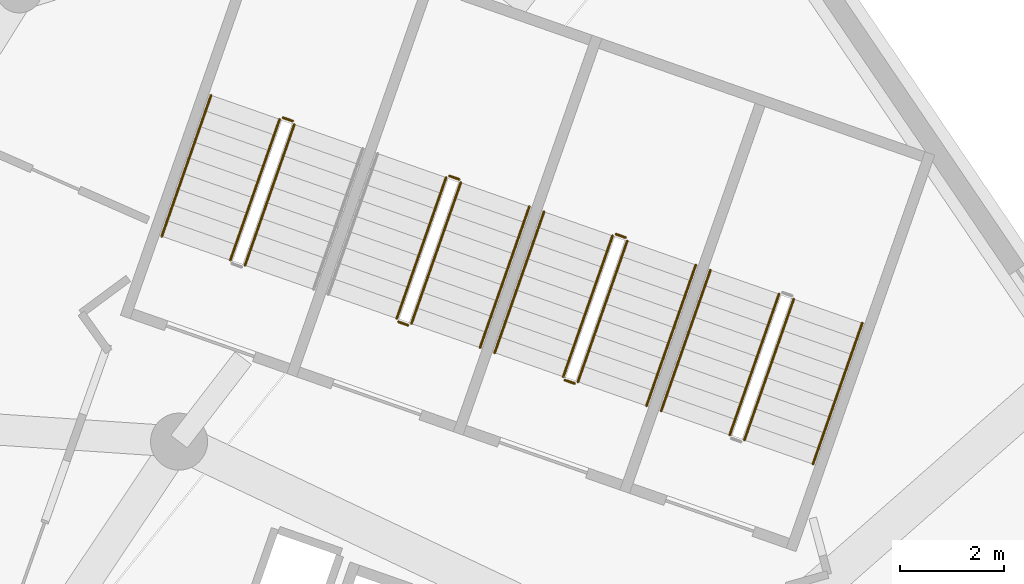
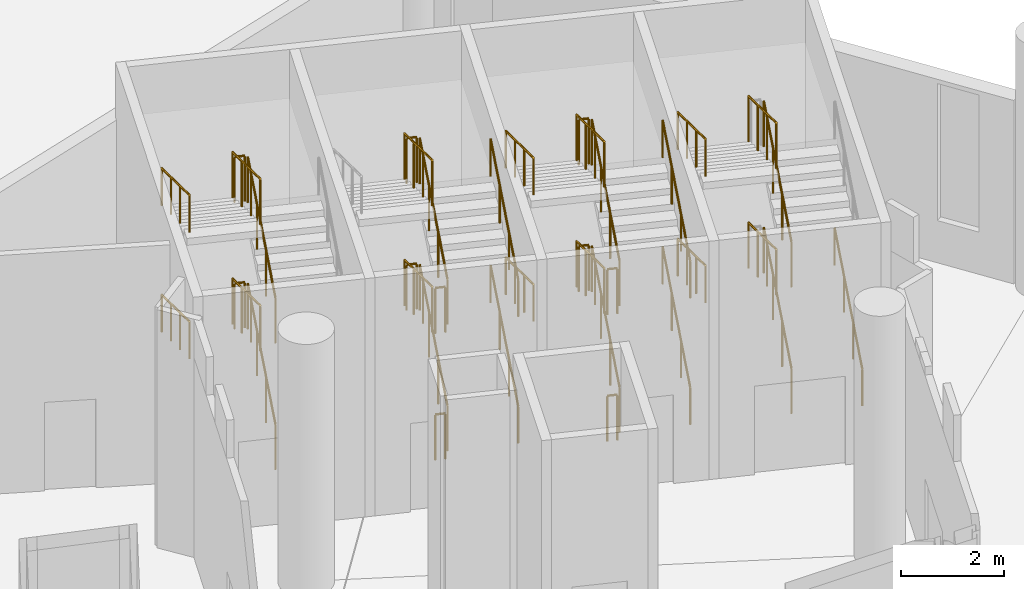
# One storey, part 248 of 249: 37 railings.
"""IFC4 building model written with IfcOpenShell, lengths in metres."""

from ifc_helpers import new_model, si_unit, direction, frame, origin, origin_2d, place, context, subcontext, project, spatial, circle, extrude, material, type_object, element, save


model = new_model("IFC4")

# Units and contexts
model_context = context("Model", 3, precision=1e-05, world=origin(), true_north=direction((0.0, 1.0)))
body_context = subcontext(model_context, "Body", "Model", "MODEL_VIEW")
ifc_project = project(units=[si_unit("LENGTHUNIT", "METRE"), si_unit("AREAUNIT", "SQUARE_METRE"), si_unit("VOLUMEUNIT", "CUBIC_METRE"), si_unit("PLANEANGLEUNIT", "RADIAN"), si_unit("MASSUNIT", "GRAM", prefix="KILO")], contexts=[model_context])

# Site, building, storey
site_placement = place(None, origin())
site = spatial("IfcSite", under=ifc_project, at=site_placement, CompositionType="ELEMENT")
building_placement = place(site_placement, origin())
building = spatial("IfcBuilding", under=site, at=building_placement, Name="Meseta Stadium", CompositionType="ELEMENT")
storey_placement = place(building_placement, frame((0.0, 0.0, 12.0)))
storey = spatial("IfcBuildingStorey", under=building, at=storey_placement, Name="L02", CompositionType="ELEMENT", Elevation=12.0)

# Railings
ifc_material_1 = material(Name="Steel S355", Category="steel")
railing_type_1 = type_object("IfcRailingType", Name="Stair guard 1100", PredefinedType="GUARDRAIL", material=ifc_material_1)
railing_1_placement = place(storey_placement, frame((65.421630859375, 89.608154296875, 0.14990234375)))
element("IfcRailing", 1, at=railing_1_placement, inside=storey, type_object=railing_type_1, Name="ST29 L02 guard 1", PredefinedType="GUARDRAIL", context=body_context, shape_type="SweptSolid", body=[
    extrude(circle(Radius=0.02392578125, at=origin_2d()), frame((0.0, 0.0, 1.076171875), z_axis=(0.299050945451, 0.854628651604, 0.424474262922), x_axis=(-0.943882143717, 0.33028245302, 0.0)), (0.0, 0.0, 1.0), 3.1806640625),
    extrude(circle(Radius=0.02099609375, at=origin_2d()), origin(), (0.0, 0.0, 1.0), 1.052001953125),
    extrude(circle(Radius=0.02099609375, at=origin_2d()), frame((0.317138671875, 0.906005859375, 0.449951171875)), (0.0, 0.0, 1.0), 1.052001953125),
    extrude(circle(Radius=0.02099609375, at=origin_2d()), frame((0.634033203125, 1.812255859375, 0.900146484375)), (0.0, 0.0, 1.0), 1.052001953125),
    extrude(circle(Radius=0.02099609375, at=origin_2d()), frame((0.951171875, 2.71826171875, 1.35009765625)), (0.0, 0.0, 1.0), 1.052001953125),
])
railing_2_placement = place(storey_placement, frame((66.089599609375, 92.425537109375, 1.64990234375)))
element("IfcRailing", 2, at=railing_2_placement, inside=storey, type_object=railing_type_1, Name="ST29 L02 guard 3", PredefinedType="GUARDRAIL", context=body_context, shape_type="SweptSolid", body=[
    extrude(circle(Radius=0.02392578125, at=origin_2d()), frame((0.0, 0.0, 1.076171875), z_axis=(-0.299050945451, -0.854628651604, 0.424474262922), x_axis=(0.943882143717, -0.33028245302, 0.0)), (0.0, 0.0, 1.0), 3.1806640625),
    extrude(circle(Radius=0.02099609375, at=origin_2d()), origin(), (0.0, 0.0, 1.0), 1.052001953125),
    extrude(circle(Radius=0.02099609375, at=origin_2d()), frame((-0.317138671875, -0.906005859375, 0.449951171875)), (0.0, 0.0, 1.0), 1.052001953125),
    extrude(circle(Radius=0.02099609375, at=origin_2d()), frame((-0.634033203125, -1.812255859375, 0.900146484375)), (0.0, 0.0, 1.0), 1.052001953125),
    extrude(circle(Radius=0.02099609375, at=origin_2d()), frame((-0.951171875, -2.71826171875, 1.35009765625)), (0.0, 0.0, 1.0), 1.052001953125),
])
railing_3_placement = place(storey_placement, frame((65.421630859375, 89.608154296875, 3.14990234375)))
element("IfcRailing", 3, at=railing_3_placement, inside=storey, type_object=railing_type_1, Name="ST29 L02 guard 5", PredefinedType="GUARDRAIL", context=body_context, shape_type="SweptSolid", body=[
    extrude(circle(Radius=0.02392578125, at=origin_2d()), frame((0.0, 0.0, 1.076171875), z_axis=(0.299050945451, 0.854628651604, 0.424474262922), x_axis=(-0.943882143717, 0.33028245302, 0.0)), (0.0, 0.0, 1.0), 3.1806640625),
    extrude(circle(Radius=0.02099609375, at=origin_2d()), origin(), (0.0, 0.0, 1.0), 1.052001953125),
    extrude(circle(Radius=0.02099609375, at=origin_2d()), frame((0.317138671875, 0.906005859375, 0.449951171875)), (0.0, 0.0, 1.0), 1.052001953125),
    extrude(circle(Radius=0.02099609375, at=origin_2d()), frame((0.634033203125, 1.812255859375, 0.900146484375)), (0.0, 0.0, 1.0), 1.052001953125),
    extrude(circle(Radius=0.02099609375, at=origin_2d()), frame((0.951171875, 2.71826171875, 1.35009765625)), (0.0, 0.0, 1.0), 1.052001953125),
])
railing_4_placement = place(storey_placement, frame((66.089599609375, 92.425537109375, 4.64990234375)))
element("IfcRailing", 4, at=railing_4_placement, inside=storey, type_object=railing_type_1, Name="ST29 L02 guard 7", PredefinedType="GUARDRAIL", context=body_context, shape_type="SweptSolid", body=[
    extrude(circle(Radius=0.02392578125, at=origin_2d()), frame((0.0, 0.0, 1.076171875), z_axis=(-0.299050945451, -0.854628651604, 0.424474262922), x_axis=(0.943882143717, -0.33028245302, 0.0)), (0.0, 0.0, 1.0), 3.1806640625),
    extrude(circle(Radius=0.02099609375, at=origin_2d()), origin(), (0.0, 0.0, 1.0), 1.052001953125),
    extrude(circle(Radius=0.02099609375, at=origin_2d()), frame((-0.317138671875, -0.906005859375, 0.449951171875)), (0.0, 0.0, 1.0), 1.052001953125),
    extrude(circle(Radius=0.02099609375, at=origin_2d()), frame((-0.634033203125, -1.812255859375, 0.900146484375)), (0.0, 0.0, 1.0), 1.052001953125),
    extrude(circle(Radius=0.02099609375, at=origin_2d()), frame((-0.951171875, -2.71826171875, 1.35009765625)), (0.0, 0.0, 1.0), 1.052001953125),
])
railing_5_placement = place(storey_placement, frame((62.21240234375, 90.73095703125, 0.14990234375)))
element("IfcRailing", 5, at=railing_5_placement, inside=storey, type_object=railing_type_1, Name="ST30 L02 guard 1", PredefinedType="GUARDRAIL", context=body_context, shape_type="SweptSolid", body=[
    extrude(circle(Radius=0.02392578125, at=origin_2d()), frame((0.0, 0.0, 1.076171875), z_axis=(0.299031328765, 0.854649344405, 0.42444641891), x_axis=(-0.943891390388, 0.330256026668, 0.0)), (0.0, 0.0, 1.0), 3.180908203125),
    extrude(circle(Radius=0.02099609375, at=origin_2d()), origin(), (0.0, 0.0, 1.0), 1.052001953125),
    extrude(circle(Radius=0.02099609375, at=origin_2d()), frame((0.317138671875, 0.90625, 0.449951171875)), (0.0, 0.0, 1.0), 1.052001953125),
    extrude(circle(Radius=0.02099609375, at=origin_2d()), frame((0.634033203125, 1.812255859375, 0.900146484375)), (0.0, 0.0, 1.0), 1.052001953125),
    extrude(circle(Radius=0.02099609375, at=origin_2d()), frame((0.951171875, 2.718505859375, 1.35009765625)), (0.0, 0.0, 1.0), 1.052001953125),
])
railing_6_placement = place(storey_placement, frame((63.1328125, 93.51318359375, 1.5)))
element("IfcRailing", 6, at=railing_6_placement, inside=storey, type_object=railing_type_1, Name="ST30 L02 guard 2", PredefinedType="GUARDRAIL", context=body_context, shape_type="SweptSolid", body=[
    extrude(circle(Radius=0.02392578125, at=origin_2d()), frame((0.0, 0.0, 1.076171875), z_axis=(-0.944067610699, 0.329751946816, 0.0), x_axis=(-0.329751946816, -0.944067610699, 0.0)), (0.0, 0.0, 1.0), 0.199951171875),
    extrude(circle(Radius=0.02099609375, at=origin_2d()), origin(), (0.0, 0.0, 1.0), 1.052001953125),
    extrude(circle(Radius=0.02099609375, at=origin_2d()), frame((-0.188720703125, 0.06591796875, 0.0)), (0.0, 0.0, 1.0), 1.052001953125),
])
railing_7_placement = place(storey_placement, frame((62.88037109375, 93.548583984375, 1.64990234375)))
element("IfcRailing", 7, at=railing_7_placement, inside=storey, type_object=railing_type_1, Name="ST30 L02 guard 3", PredefinedType="GUARDRAIL", context=body_context, shape_type="SweptSolid", body=[
    extrude(circle(Radius=0.02392578125, at=origin_2d()), frame((0.0, 0.0, 1.076171875), z_axis=(-0.299031328765, -0.854649344405, 0.42444641891), x_axis=(0.943891390388, -0.330256026668, 0.0)), (0.0, 0.0, 1.0), 3.180908203125),
    extrude(circle(Radius=0.02099609375, at=origin_2d()), origin(), (0.0, 0.0, 1.0), 1.052001953125),
    extrude(circle(Radius=0.02099609375, at=origin_2d()), frame((-0.317138671875, -0.90625, 0.449951171875)), (0.0, 0.0, 1.0), 1.052001953125),
    extrude(circle(Radius=0.02099609375, at=origin_2d()), frame((-0.634033203125, -1.812255859375, 0.900146484375)), (0.0, 0.0, 1.0), 1.052001953125),
    extrude(circle(Radius=0.02099609375, at=origin_2d()), frame((-0.951171875, -2.718505859375, 1.35009765625)), (0.0, 0.0, 1.0), 1.052001953125),
])
railing_8_placement = place(storey_placement, frame((62.148681640625, 90.700439453125, 3.0)))
element("IfcRailing", 8, at=railing_8_placement, inside=storey, type_object=railing_type_1, Name="ST30 L02 guard 4", PredefinedType="GUARDRAIL", context=body_context, shape_type="SweptSolid", body=[
    extrude(circle(Radius=0.02392578125, at=origin_2d()), frame((0.0, 0.0, 1.076171875), z_axis=(-0.944067610699, 0.329751946816, 0.0), x_axis=(-0.329751946816, -0.944067610699, 0.0)), (0.0, 0.0, 1.0), 0.199951171875),
    extrude(circle(Radius=0.02099609375, at=origin_2d()), origin(), (0.0, 0.0, 1.0), 1.052001953125),
    extrude(circle(Radius=0.02099609375, at=origin_2d()), frame((-0.188720703125, 0.06591796875, 0.0)), (0.0, 0.0, 1.0), 1.052001953125),
])
railing_9_placement = place(storey_placement, frame((62.21240234375, 90.73095703125, 3.14990234375)))
element("IfcRailing", 9, at=railing_9_placement, inside=storey, type_object=railing_type_1, Name="ST30 L02 guard 5", PredefinedType="GUARDRAIL", context=body_context, shape_type="SweptSolid", body=[
    extrude(circle(Radius=0.02392578125, at=origin_2d()), frame((0.0, 0.0, 1.076171875), z_axis=(0.299031328765, 0.854649344405, 0.42444641891), x_axis=(-0.943891390388, 0.330256026668, 0.0)), (0.0, 0.0, 1.0), 3.180908203125),
    extrude(circle(Radius=0.02099609375, at=origin_2d()), origin(), (0.0, 0.0, 1.0), 1.052001953125),
    extrude(circle(Radius=0.02099609375, at=origin_2d()), frame((0.317138671875, 0.90625, 0.449951171875)), (0.0, 0.0, 1.0), 1.052001953125),
    extrude(circle(Radius=0.02099609375, at=origin_2d()), frame((0.634033203125, 1.812255859375, 0.900146484375)), (0.0, 0.0, 1.0), 1.052001953125),
    extrude(circle(Radius=0.02099609375, at=origin_2d()), frame((0.951171875, 2.718505859375, 1.35009765625)), (0.0, 0.0, 1.0), 1.052001953125),
])
railing_10_placement = place(storey_placement, frame((63.1328125, 93.51318359375, 4.5)))
element("IfcRailing", 10, at=railing_10_placement, inside=storey, type_object=railing_type_1, Name="ST30 L02 guard 6", PredefinedType="GUARDRAIL", context=body_context, shape_type="SweptSolid", body=[
    extrude(circle(Radius=0.02392578125, at=origin_2d()), frame((0.0, 0.0, 1.076171875), z_axis=(-0.944067610699, 0.329751946816, 0.0), x_axis=(-0.329751946816, -0.944067610699, 0.0)), (0.0, 0.0, 1.0), 0.199951171875),
    extrude(circle(Radius=0.02099609375, at=origin_2d()), origin(), (0.0, 0.0, 1.0), 1.052001953125),
    extrude(circle(Radius=0.02099609375, at=origin_2d()), frame((-0.188720703125, 0.06591796875, 0.0)), (0.0, 0.0, 1.0), 1.052001953125),
])
railing_11_placement = place(storey_placement, frame((62.88037109375, 93.548583984375, 4.64990234375)))
element("IfcRailing", 11, at=railing_11_placement, inside=storey, type_object=railing_type_1, Name="ST30 L02 guard 7", PredefinedType="GUARDRAIL", context=body_context, shape_type="SweptSolid", body=[
    extrude(circle(Radius=0.02392578125, at=origin_2d()), frame((0.0, 0.0, 1.076171875), z_axis=(-0.299031328765, -0.854649344405, 0.42444641891), x_axis=(0.943891390388, -0.330256026668, 0.0)), (0.0, 0.0, 1.0), 3.180908203125),
    extrude(circle(Radius=0.02099609375, at=origin_2d()), origin(), (0.0, 0.0, 1.0), 1.052001953125),
    extrude(circle(Radius=0.02099609375, at=origin_2d()), frame((-0.317138671875, -0.90625, 0.449951171875)), (0.0, 0.0, 1.0), 1.052001953125),
    extrude(circle(Radius=0.02099609375, at=origin_2d()), frame((-0.634033203125, -1.812255859375, 0.900146484375)), (0.0, 0.0, 1.0), 1.052001953125),
    extrude(circle(Radius=0.02099609375, at=origin_2d()), frame((-0.951171875, -2.718505859375, 1.35009765625)), (0.0, 0.0, 1.0), 1.052001953125),
])
railing_12_placement = place(storey_placement, frame((62.148681640625, 90.700439453125, 0.0)))
element("IfcRailing", 12, at=railing_12_placement, inside=storey, type_object=railing_type_1, Name="ST30 L02 guard 8", PredefinedType="GUARDRAIL", context=body_context, shape_type="SweptSolid", body=[
    extrude(circle(Radius=0.02392578125, at=origin_2d()), frame((0.0, 0.0, 1.076171875), z_axis=(-0.944067610699, 0.329751946816, 0.0), x_axis=(-0.329751946816, -0.944067610699, 0.0)), (0.0, 0.0, 1.0), 0.199951171875),
    extrude(circle(Radius=0.02099609375, at=origin_2d()), origin(), (0.0, 0.0, 1.0), 1.052001953125),
    extrude(circle(Radius=0.02099609375, at=origin_2d()), frame((-0.188720703125, 0.06591796875, 0.0)), (0.0, 0.0, 1.0), 1.052001953125),
])
railing_13_placement = place(storey_placement, frame((59.003173828125, 91.85400390625, 0.14990234375)))
element("IfcRailing", 13, at=railing_13_placement, inside=storey, type_object=railing_type_1, Name="ST31 L02 guard 1", PredefinedType="GUARDRAIL", context=body_context, shape_type="SweptSolid", body=[
    extrude(circle(Radius=0.02392578125, at=origin_2d()), frame((0.0, 0.0, 1.076171875), z_axis=(0.299031328765, 0.854649344405, 0.42444641891), x_axis=(-0.943891390388, 0.330256026668, 0.0)), (0.0, 0.0, 1.0), 3.180908203125),
    extrude(circle(Radius=0.02099609375, at=origin_2d()), origin(), (0.0, 0.0, 1.0), 1.052001953125),
    extrude(circle(Radius=0.02099609375, at=origin_2d()), frame((0.317138671875, 0.90625, 0.449951171875)), (0.0, 0.0, 1.0), 1.052001953125),
    extrude(circle(Radius=0.02099609375, at=origin_2d()), frame((0.634033203125, 1.812255859375, 0.900146484375)), (0.0, 0.0, 1.0), 1.052001953125),
    extrude(circle(Radius=0.02099609375, at=origin_2d()), frame((0.951171875, 2.718505859375, 1.35009765625)), (0.0, 0.0, 1.0), 1.052001953125),
])
railing_14_placement = place(storey_placement, frame((59.923828125, 94.63623046875, 1.5)))
element("IfcRailing", 14, at=railing_14_placement, inside=storey, type_object=railing_type_1, Name="ST31 L02 guard 2", PredefinedType="GUARDRAIL", context=body_context, shape_type="SweptSolid", body=[
    extrude(circle(Radius=0.02392578125, at=origin_2d()), frame((0.0, 0.0, 1.076171875), z_axis=(-0.944200181446, 0.329372156318, 0.0), x_axis=(-0.329372156318, -0.944200181446, 0.0)), (0.0, 0.0, 1.0), 0.2001953125),
    extrude(circle(Radius=0.02099609375, at=origin_2d()), origin(), (0.0, 0.0, 1.0), 1.052001953125),
    extrude(circle(Radius=0.02099609375, at=origin_2d()), frame((-0.18896484375, 0.06591796875, 0.0)), (0.0, 0.0, 1.0), 1.052001953125),
])
railing_15_placement = place(storey_placement, frame((59.671142578125, 94.67138671875, 1.64990234375)))
element("IfcRailing", 15, at=railing_15_placement, inside=storey, type_object=railing_type_1, Name="ST31 L02 guard 3", PredefinedType="GUARDRAIL", context=body_context, shape_type="SweptSolid", body=[
    extrude(circle(Radius=0.02392578125, at=origin_2d()), frame((0.0, 0.0, 1.076171875), z_axis=(-0.299050945451, -0.854628651604, 0.424474262922), x_axis=(0.943882143717, -0.33028245302, 0.0)), (0.0, 0.0, 1.0), 3.1806640625),
    extrude(circle(Radius=0.02099609375, at=origin_2d()), origin(), (0.0, 0.0, 1.0), 1.052001953125),
    extrude(circle(Radius=0.02099609375, at=origin_2d()), frame((-0.317138671875, -0.906005859375, 0.449951171875)), (0.0, 0.0, 1.0), 1.052001953125),
    extrude(circle(Radius=0.02099609375, at=origin_2d()), frame((-0.634033203125, -1.812255859375, 0.900146484375)), (0.0, 0.0, 1.0), 1.052001953125),
    extrude(circle(Radius=0.02099609375, at=origin_2d()), frame((-0.951171875, -2.71826171875, 1.35009765625)), (0.0, 0.0, 1.0), 1.052001953125),
])
railing_16_placement = place(storey_placement, frame((58.939453125, 91.8232421875, 3.0)))
element("IfcRailing", 16, at=railing_16_placement, inside=storey, type_object=railing_type_1, Name="ST31 L02 guard 4", PredefinedType="GUARDRAIL", context=body_context, shape_type="SweptSolid", body=[
    extrude(circle(Radius=0.02392578125, at=origin_2d()), frame((0.0, 0.0, 1.076171875), z_axis=(-0.943686935281, 0.330839792317, 0.0), x_axis=(-0.330839792317, -0.943686935281, 0.0)), (0.0, 0.0, 1.0), 0.199951171875),
    extrude(circle(Radius=0.02099609375, at=origin_2d()), origin(), (0.0, 0.0, 1.0), 1.052001953125),
    extrude(circle(Radius=0.02099609375, at=origin_2d()), frame((-0.188720703125, 0.066162109375, 0.0)), (0.0, 0.0, 1.0), 1.052001953125),
])
railing_17_placement = place(storey_placement, frame((59.003173828125, 91.85400390625, 3.14990234375)))
element("IfcRailing", 17, at=railing_17_placement, inside=storey, type_object=railing_type_1, Name="ST31 L02 guard 5", PredefinedType="GUARDRAIL", context=body_context, shape_type="SweptSolid", body=[
    extrude(circle(Radius=0.02392578125, at=origin_2d()), frame((0.0, 0.0, 1.076171875), z_axis=(0.299031328765, 0.854649344405, 0.42444641891), x_axis=(-0.943891390388, 0.330256026668, 0.0)), (0.0, 0.0, 1.0), 3.180908203125),
    extrude(circle(Radius=0.02099609375, at=origin_2d()), origin(), (0.0, 0.0, 1.0), 1.052001953125),
    extrude(circle(Radius=0.02099609375, at=origin_2d()), frame((0.317138671875, 0.90625, 0.449951171875)), (0.0, 0.0, 1.0), 1.052001953125),
    extrude(circle(Radius=0.02099609375, at=origin_2d()), frame((0.634033203125, 1.812255859375, 0.900146484375)), (0.0, 0.0, 1.0), 1.052001953125),
    extrude(circle(Radius=0.02099609375, at=origin_2d()), frame((0.951171875, 2.718505859375, 1.35009765625)), (0.0, 0.0, 1.0), 1.052001953125),
])
railing_18_placement = place(storey_placement, frame((59.923828125, 94.63623046875, 4.5)))
element("IfcRailing", 18, at=railing_18_placement, inside=storey, type_object=railing_type_1, Name="ST31 L02 guard 6", PredefinedType="GUARDRAIL", context=body_context, shape_type="SweptSolid", body=[
    extrude(circle(Radius=0.02392578125, at=origin_2d()), frame((0.0, 0.0, 1.076171875), z_axis=(-0.944200181446, 0.329372156318, 0.0), x_axis=(-0.329372156318, -0.944200181446, 0.0)), (0.0, 0.0, 1.0), 0.2001953125),
    extrude(circle(Radius=0.02099609375, at=origin_2d()), origin(), (0.0, 0.0, 1.0), 1.052001953125),
    extrude(circle(Radius=0.02099609375, at=origin_2d()), frame((-0.18896484375, 0.06591796875, 0.0)), (0.0, 0.0, 1.0), 1.052001953125),
])
railing_19_placement = place(storey_placement, frame((59.671142578125, 94.67138671875, 4.64990234375)))
element("IfcRailing", 19, at=railing_19_placement, inside=storey, type_object=railing_type_1, Name="ST31 L02 guard 7", PredefinedType="GUARDRAIL", context=body_context, shape_type="SweptSolid", body=[
    extrude(circle(Radius=0.02392578125, at=origin_2d()), frame((0.0, 0.0, 1.076171875), z_axis=(-0.299050945451, -0.854628651604, 0.424474262922), x_axis=(0.943882143717, -0.33028245302, 0.0)), (0.0, 0.0, 1.0), 3.1806640625),
    extrude(circle(Radius=0.02099609375, at=origin_2d()), origin(), (0.0, 0.0, 1.0), 1.052001953125),
    extrude(circle(Radius=0.02099609375, at=origin_2d()), frame((-0.317138671875, -0.906005859375, 0.449951171875)), (0.0, 0.0, 1.0), 1.052001953125),
    extrude(circle(Radius=0.02099609375, at=origin_2d()), frame((-0.634033203125, -1.812255859375, 0.900146484375)), (0.0, 0.0, 1.0), 1.052001953125),
    extrude(circle(Radius=0.02099609375, at=origin_2d()), frame((-0.951171875, -2.71826171875, 1.35009765625)), (0.0, 0.0, 1.0), 1.052001953125),
])
railing_20_placement = place(storey_placement, frame((58.939453125, 91.8232421875, 0.0)))
element("IfcRailing", 20, at=railing_20_placement, inside=storey, type_object=railing_type_1, Name="ST31 L02 guard 8", PredefinedType="GUARDRAIL", context=body_context, shape_type="SweptSolid", body=[
    extrude(circle(Radius=0.02392578125, at=origin_2d()), frame((0.0, 0.0, 1.076171875), z_axis=(-0.943686935281, 0.330839792317, 0.0), x_axis=(-0.330839792317, -0.943686935281, 0.0)), (0.0, 0.0, 1.0), 0.199951171875),
    extrude(circle(Radius=0.02099609375, at=origin_2d()), origin(), (0.0, 0.0, 1.0), 1.052001953125),
    extrude(circle(Radius=0.02099609375, at=origin_2d()), frame((-0.188720703125, 0.066162109375, 0.0)), (0.0, 0.0, 1.0), 1.052001953125),
])
railing_21_placement = place(storey_placement, frame((55.7939453125, 92.97705078125, 0.14990234375)))
element("IfcRailing", 21, at=railing_21_placement, inside=storey, type_object=railing_type_1, Name="ST32 L02 guard 1", PredefinedType="GUARDRAIL", context=body_context, shape_type="SweptSolid", body=[
    extrude(circle(Radius=0.02392578125, at=origin_2d()), frame((0.0, 0.0, 1.076171875), z_axis=(0.299050945451, 0.854628651604, 0.424474262922), x_axis=(-0.943882143717, 0.33028245302, 0.0)), (0.0, 0.0, 1.0), 3.1806640625),
    extrude(circle(Radius=0.02099609375, at=origin_2d()), origin(), (0.0, 0.0, 1.0), 1.052001953125),
    extrude(circle(Radius=0.02099609375, at=origin_2d()), frame((0.317138671875, 0.906005859375, 0.449951171875)), (0.0, 0.0, 1.0), 1.052001953125),
    extrude(circle(Radius=0.02099609375, at=origin_2d()), frame((0.634033203125, 1.812255859375, 0.900146484375)), (0.0, 0.0, 1.0), 1.052001953125),
    extrude(circle(Radius=0.02099609375, at=origin_2d()), frame((0.951171875, 2.71826171875, 1.35009765625)), (0.0, 0.0, 1.0), 1.052001953125),
])
railing_22_placement = place(storey_placement, frame((56.714599609375, 95.759033203125, 1.5)))
element("IfcRailing", 22, at=railing_22_placement, inside=storey, type_object=railing_type_1, Name="ST32 L02 guard 2", PredefinedType="GUARDRAIL", context=body_context, shape_type="SweptSolid", body=[
    extrude(circle(Radius=0.02392578125, at=origin_2d()), frame((0.0, 0.0, 1.076171875), z_axis=(-0.943820328543, 0.330459055601, 0.0), x_axis=(-0.330459055601, -0.943820328543, 0.0)), (0.0, 0.0, 1.0), 0.2001953125),
    extrude(circle(Radius=0.02099609375, at=origin_2d()), origin(), (0.0, 0.0, 1.0), 1.052001953125),
    extrude(circle(Radius=0.02099609375, at=origin_2d()), frame((-0.18896484375, 0.066162109375, 0.0)), (0.0, 0.0, 1.0), 1.052001953125),
])
railing_23_placement = place(storey_placement, frame((56.462158203125, 95.79443359375, 1.64990234375)))
element("IfcRailing", 23, at=railing_23_placement, inside=storey, type_object=railing_type_1, Name="ST32 L02 guard 3", PredefinedType="GUARDRAIL", context=body_context, shape_type="SweptSolid", body=[
    extrude(circle(Radius=0.02392578125, at=origin_2d()), frame((0.0, 0.0, 1.076171875), z_axis=(-0.299120836879, -0.854609032027, 0.424464518332), x_axis=(0.943855713099, -0.330357976823, 0.0)), (0.0, 0.0, 1.0), 3.1806640625),
    extrude(circle(Radius=0.02099609375, at=origin_2d()), origin(), (0.0, 0.0, 1.0), 1.052001953125),
    extrude(circle(Radius=0.02099609375, at=origin_2d()), frame((-0.317138671875, -0.906005859375, 0.449951171875)), (0.0, 0.0, 1.0), 1.052001953125),
    extrude(circle(Radius=0.02099609375, at=origin_2d()), frame((-0.63427734375, -1.812255859375, 0.900146484375)), (0.0, 0.0, 1.0), 1.052001953125),
    extrude(circle(Radius=0.02099609375, at=origin_2d()), frame((-0.951416015625, -2.71826171875, 1.35009765625)), (0.0, 0.0, 1.0), 1.052001953125),
])
railing_24_placement = place(storey_placement, frame((55.7939453125, 92.97705078125, 3.14990234375)))
element("IfcRailing", 24, at=railing_24_placement, inside=storey, type_object=railing_type_1, Name="ST32 L02 guard 5", PredefinedType="GUARDRAIL", context=body_context, shape_type="SweptSolid", body=[
    extrude(circle(Radius=0.02392578125, at=origin_2d()), frame((0.0, 0.0, 1.076171875), z_axis=(0.299050945451, 0.854628651604, 0.424474262922), x_axis=(-0.943882143717, 0.33028245302, 0.0)), (0.0, 0.0, 1.0), 3.1806640625),
    extrude(circle(Radius=0.02099609375, at=origin_2d()), origin(), (0.0, 0.0, 1.0), 1.052001953125),
    extrude(circle(Radius=0.02099609375, at=origin_2d()), frame((0.317138671875, 0.906005859375, 0.449951171875)), (0.0, 0.0, 1.0), 1.052001953125),
    extrude(circle(Radius=0.02099609375, at=origin_2d()), frame((0.634033203125, 1.812255859375, 0.900146484375)), (0.0, 0.0, 1.0), 1.052001953125),
    extrude(circle(Radius=0.02099609375, at=origin_2d()), frame((0.951171875, 2.71826171875, 1.35009765625)), (0.0, 0.0, 1.0), 1.052001953125),
])
railing_25_placement = place(storey_placement, frame((56.714599609375, 95.759033203125, 4.5)))
element("IfcRailing", 25, at=railing_25_placement, inside=storey, type_object=railing_type_1, Name="ST32 L02 guard 6", PredefinedType="GUARDRAIL", context=body_context, shape_type="SweptSolid", body=[
    extrude(circle(Radius=0.02392578125, at=origin_2d()), frame((0.0, 0.0, 1.076171875), z_axis=(-0.943820328543, 0.330459055601, 0.0), x_axis=(-0.330459055601, -0.943820328543, 0.0)), (0.0, 0.0, 1.0), 0.2001953125),
    extrude(circle(Radius=0.02099609375, at=origin_2d()), origin(), (0.0, 0.0, 1.0), 1.052001953125),
    extrude(circle(Radius=0.02099609375, at=origin_2d()), frame((-0.18896484375, 0.066162109375, 0.0)), (0.0, 0.0, 1.0), 1.052001953125),
])
railing_26_placement = place(storey_placement, frame((56.462158203125, 95.79443359375, 4.64990234375)))
element("IfcRailing", 26, at=railing_26_placement, inside=storey, type_object=railing_type_1, Name="ST32 L02 guard 7", PredefinedType="GUARDRAIL", context=body_context, shape_type="SweptSolid", body=[
    extrude(circle(Radius=0.02392578125, at=origin_2d()), frame((0.0, 0.0, 1.076171875), z_axis=(-0.299120836879, -0.854609032027, 0.424464518332), x_axis=(0.943855713099, -0.330357976823, 0.0)), (0.0, 0.0, 1.0), 3.1806640625),
    extrude(circle(Radius=0.02099609375, at=origin_2d()), origin(), (0.0, 0.0, 1.0), 1.052001953125),
    extrude(circle(Radius=0.02099609375, at=origin_2d()), frame((-0.317138671875, -0.906005859375, 0.449951171875)), (0.0, 0.0, 1.0), 1.052001953125),
    extrude(circle(Radius=0.02099609375, at=origin_2d()), frame((-0.63427734375, -1.812255859375, 0.900146484375)), (0.0, 0.0, 1.0), 1.052001953125),
    extrude(circle(Radius=0.02099609375, at=origin_2d()), frame((-0.951416015625, -2.71826171875, 1.35009765625)), (0.0, 0.0, 1.0), 1.052001953125),
])
ifc_material_2 = material(Name="Steel S355", Category="steel")
railing_type_2 = type_object("IfcRailingType", Name="Stair handrail 900", PredefinedType="HANDRAIL", material=ifc_material_2)
railing_27_placement = place(storey_placement, frame((66.7431640625, 89.145751953125, 0.14990234375)))
element("IfcRailing", 27, at=railing_27_placement, inside=storey, type_object=railing_type_2, Name="ST29 L02 handrail 1", PredefinedType="HANDRAIL", context=body_context, shape_type="SweptSolid", body=[
    extrude(circle(Radius=0.02392578125, at=origin_2d()), frame((0.0, 0.0, 0.8759765625), z_axis=(0.299050945451, 0.854628651604, 0.424474262922), x_axis=(-0.943882143717, 0.33028245302, 0.0)), (0.0, 0.0, 1.0), 3.1806640625),
    extrude(circle(Radius=0.02099609375, at=origin_2d()), origin(), (0.0, 0.0, 1.0), 0.851806640625),
    extrude(circle(Radius=0.02099609375, at=origin_2d()), frame((0.317138671875, 0.906005859375, 0.449951171875)), (0.0, 0.0, 1.0), 0.851806640625),
    extrude(circle(Radius=0.02099609375, at=origin_2d()), frame((0.634033203125, 1.812255859375, 0.900146484375)), (0.0, 0.0, 1.0), 0.851806640625),
    extrude(circle(Radius=0.02099609375, at=origin_2d()), frame((0.951171875, 2.71826171875, 1.35009765625)), (0.0, 0.0, 1.0), 0.851806640625),
])
for number, where, name in (
    (28, (64.768310546875, 92.887939453125, 1.64990234375), "ST29 L02 handrail 2"),
    (29, (64.768310546875, 92.887939453125, 4.64990234375), "ST29 L02 handrail 4"),
):
    element("IfcRailing", number, at=place(storey_placement, frame(where)), inside=storey, type_object=railing_type_2, Name=name, PredefinedType="HANDRAIL", context=body_context, shape_type="SweptSolid", body=[
        extrude(circle(Radius=0.02392578125, at=origin_2d()), frame((0.0, 0.0, 0.8759765625), z_axis=(-0.299120836879, -0.854609032027, 0.424464518332), x_axis=(0.943855713099, -0.330357976823, 0.0)), (0.0, 0.0, 1.0), 3.1806640625),
        extrude(circle(Radius=0.02099609375, at=origin_2d()), origin(), (0.0, 0.0, 1.0), 0.851806640625),
        extrude(circle(Radius=0.02099609375, at=origin_2d()), frame((-0.317138671875, -0.906005859375, 0.449951171875)), (0.0, 0.0, 1.0), 0.851806640625),
        extrude(circle(Radius=0.02099609375, at=origin_2d()), frame((-0.63427734375, -1.812255859375, 0.900146484375)), (0.0, 0.0, 1.0), 0.851806640625),
        extrude(circle(Radius=0.02099609375, at=origin_2d()), frame((-0.951416015625, -2.71826171875, 1.35009765625)), (0.0, 0.0, 1.0), 0.851806640625),
    ])
railing_28_placement = place(storey_placement, frame((63.533935546875, 90.268798828125, 0.14990234375)))
element("IfcRailing", 30, at=railing_28_placement, inside=storey, type_object=railing_type_2, Name="ST30 L02 handrail 1", PredefinedType="HANDRAIL", context=body_context, shape_type="SweptSolid", body=[
    extrude(circle(Radius=0.02392578125, at=origin_2d()), frame((0.0, 0.0, 0.8759765625), z_axis=(0.299050945451, 0.854628651604, 0.424474262922), x_axis=(-0.943882143717, 0.33028245302, 0.0)), (0.0, 0.0, 1.0), 3.1806640625),
    extrude(circle(Radius=0.02099609375, at=origin_2d()), origin(), (0.0, 0.0, 1.0), 0.851806640625),
    extrude(circle(Radius=0.02099609375, at=origin_2d()), frame((0.317138671875, 0.906005859375, 0.449951171875)), (0.0, 0.0, 1.0), 0.851806640625),
    extrude(circle(Radius=0.02099609375, at=origin_2d()), frame((0.634033203125, 1.812255859375, 0.900146484375)), (0.0, 0.0, 1.0), 0.851806640625),
    extrude(circle(Radius=0.02099609375, at=origin_2d()), frame((0.951171875, 2.71826171875, 1.35009765625)), (0.0, 0.0, 1.0), 0.851806640625),
])
railing_29_placement = place(storey_placement, frame((61.55908203125, 94.010986328125, 1.64990234375)))
element("IfcRailing", 31, at=railing_29_placement, inside=storey, type_object=railing_type_2, Name="ST30 L02 handrail 2", PredefinedType="HANDRAIL", context=body_context, shape_type="SweptSolid", body=[
    extrude(circle(Radius=0.02392578125, at=origin_2d()), frame((0.0, 0.0, 0.8759765625), z_axis=(-0.299031328765, -0.854649344405, 0.42444641891), x_axis=(0.943891390388, -0.330256026668, 0.0)), (0.0, 0.0, 1.0), 3.180908203125),
    extrude(circle(Radius=0.02099609375, at=origin_2d()), origin(), (0.0, 0.0, 1.0), 0.851806640625),
    extrude(circle(Radius=0.02099609375, at=origin_2d()), frame((-0.317138671875, -0.90625, 0.449951171875)), (0.0, 0.0, 1.0), 0.851806640625),
    extrude(circle(Radius=0.02099609375, at=origin_2d()), frame((-0.634033203125, -1.812255859375, 0.900146484375)), (0.0, 0.0, 1.0), 0.851806640625),
    extrude(circle(Radius=0.02099609375, at=origin_2d()), frame((-0.951171875, -2.718505859375, 1.35009765625)), (0.0, 0.0, 1.0), 0.851806640625),
])
railing_30_placement = place(storey_placement, frame((63.533935546875, 90.268798828125, 3.14990234375)))
element("IfcRailing", 32, at=railing_30_placement, inside=storey, type_object=railing_type_2, Name="ST30 L02 handrail 3", PredefinedType="HANDRAIL", context=body_context, shape_type="SweptSolid", body=[
    extrude(circle(Radius=0.02392578125, at=origin_2d()), frame((0.0, 0.0, 0.8759765625), z_axis=(0.299050945451, 0.854628651604, 0.424474262922), x_axis=(-0.943882143717, 0.33028245302, 0.0)), (0.0, 0.0, 1.0), 3.1806640625),
    extrude(circle(Radius=0.02099609375, at=origin_2d()), origin(), (0.0, 0.0, 1.0), 0.851806640625),
    extrude(circle(Radius=0.02099609375, at=origin_2d()), frame((0.317138671875, 0.906005859375, 0.449951171875)), (0.0, 0.0, 1.0), 0.851806640625),
    extrude(circle(Radius=0.02099609375, at=origin_2d()), frame((0.634033203125, 1.812255859375, 0.900146484375)), (0.0, 0.0, 1.0), 0.851806640625),
    extrude(circle(Radius=0.02099609375, at=origin_2d()), frame((0.951171875, 2.71826171875, 1.35009765625)), (0.0, 0.0, 1.0), 0.851806640625),
])
railing_31_placement = place(storey_placement, frame((61.55908203125, 94.010986328125, 4.64990234375)))
element("IfcRailing", 33, at=railing_31_placement, inside=storey, type_object=railing_type_2, Name="ST30 L02 handrail 4", PredefinedType="HANDRAIL", context=body_context, shape_type="SweptSolid", body=[
    extrude(circle(Radius=0.02392578125, at=origin_2d()), frame((0.0, 0.0, 0.8759765625), z_axis=(-0.299031328765, -0.854649344405, 0.42444641891), x_axis=(0.943891390388, -0.330256026668, 0.0)), (0.0, 0.0, 1.0), 3.180908203125),
    extrude(circle(Radius=0.02099609375, at=origin_2d()), origin(), (0.0, 0.0, 1.0), 0.851806640625),
    extrude(circle(Radius=0.02099609375, at=origin_2d()), frame((-0.317138671875, -0.90625, 0.449951171875)), (0.0, 0.0, 1.0), 0.851806640625),
    extrude(circle(Radius=0.02099609375, at=origin_2d()), frame((-0.634033203125, -1.812255859375, 0.900146484375)), (0.0, 0.0, 1.0), 0.851806640625),
    extrude(circle(Radius=0.02099609375, at=origin_2d()), frame((-0.951171875, -2.718505859375, 1.35009765625)), (0.0, 0.0, 1.0), 0.851806640625),
])
for number, where, name in (
    (34, (60.32470703125, 91.3916015625, 0.14990234375), "ST31 L02 handrail 1"),
    (35, (60.32470703125, 91.3916015625, 3.14990234375), "ST31 L02 handrail 3"),
):
    element("IfcRailing", number, at=place(storey_placement, frame(where)), inside=storey, type_object=railing_type_2, Name=name, PredefinedType="HANDRAIL", context=body_context, shape_type="SweptSolid", body=[
        extrude(circle(Radius=0.02392578125, at=origin_2d()), frame((0.0, 0.0, 0.8759765625), z_axis=(0.299031328765, 0.854649344405, 0.42444641891), x_axis=(-0.943891390388, 0.330256026668, 0.0)), (0.0, 0.0, 1.0), 3.180908203125),
        extrude(circle(Radius=0.02099609375, at=origin_2d()), origin(), (0.0, 0.0, 1.0), 0.851806640625),
        extrude(circle(Radius=0.02099609375, at=origin_2d()), frame((0.317138671875, 0.90625, 0.449951171875)), (0.0, 0.0, 1.0), 0.851806640625),
        extrude(circle(Radius=0.02099609375, at=origin_2d()), frame((0.634033203125, 1.812255859375, 0.900146484375)), (0.0, 0.0, 1.0), 0.851806640625),
        extrude(circle(Radius=0.02099609375, at=origin_2d()), frame((0.951171875, 2.718505859375, 1.35009765625)), (0.0, 0.0, 1.0), 0.851806640625),
    ])
for number, where, name in (
    (36, (55.140625, 96.2568359375, 1.64990234375), "ST32 L02 handrail 2"),
    (37, (55.140625, 96.2568359375, 4.64990234375), "ST32 L02 handrail 4"),
):
    element("IfcRailing", number, at=place(storey_placement, frame(where)), inside=storey, type_object=railing_type_2, Name=name, PredefinedType="HANDRAIL", context=body_context, shape_type="SweptSolid", body=[
        extrude(circle(Radius=0.02392578125, at=origin_2d()), frame((0.0, 0.0, 0.8759765625), z_axis=(-0.299031328765, -0.854649344405, 0.42444641891), x_axis=(0.943891390388, -0.330256026668, 0.0)), (0.0, 0.0, 1.0), 3.180908203125),
        extrude(circle(Radius=0.02099609375, at=origin_2d()), origin(), (0.0, 0.0, 1.0), 0.851806640625),
        extrude(circle(Radius=0.02099609375, at=origin_2d()), frame((-0.317138671875, -0.90625, 0.449951171875)), (0.0, 0.0, 1.0), 0.851806640625),
        extrude(circle(Radius=0.02099609375, at=origin_2d()), frame((-0.634033203125, -1.812255859375, 0.900146484375)), (0.0, 0.0, 1.0), 0.851806640625),
        extrude(circle(Radius=0.02099609375, at=origin_2d()), frame((-0.951171875, -2.718505859375, 1.35009765625)), (0.0, 0.0, 1.0), 0.851806640625),
    ])

save(model, "model.ifc")
